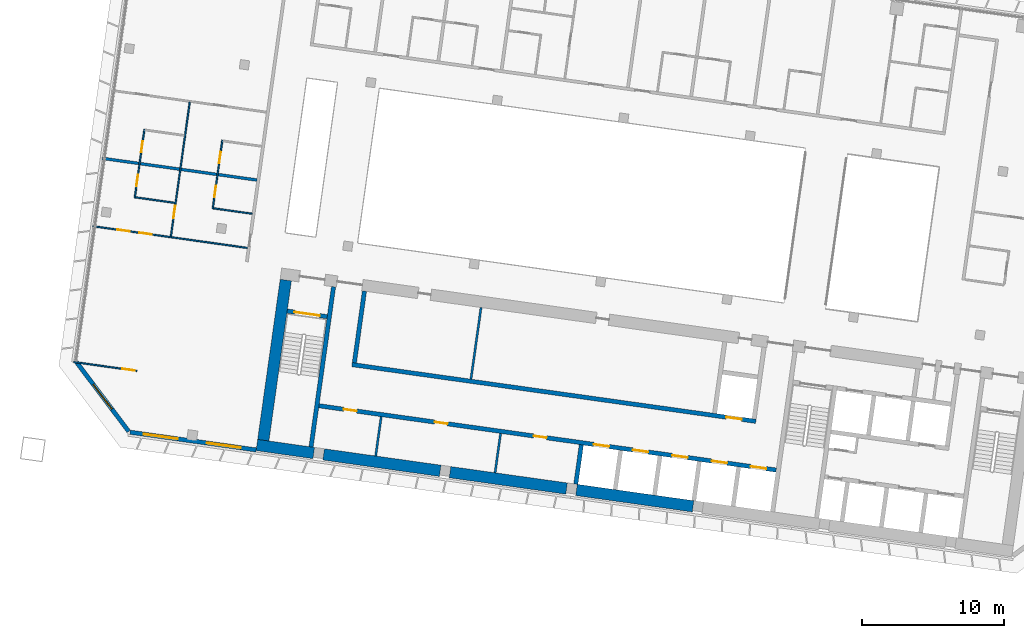
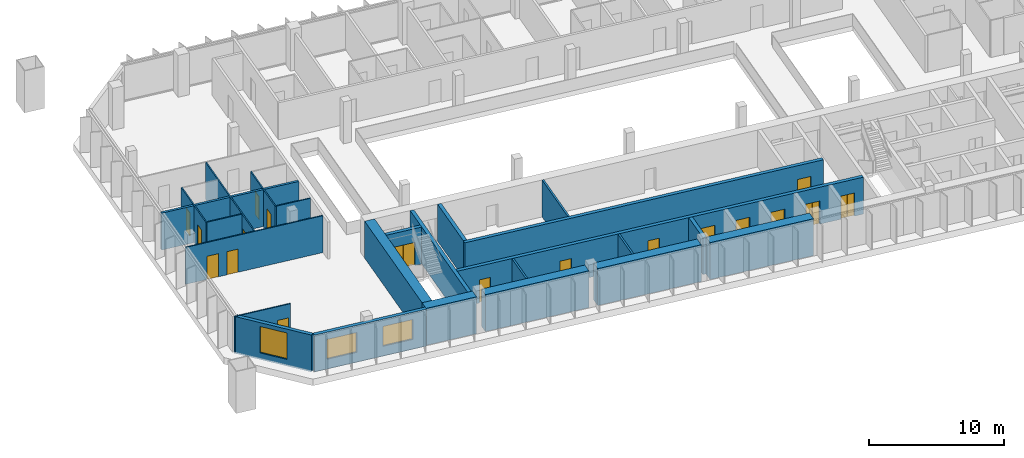
# One storey, part 14 of 26: 24 walls, 18 doors, 3 windows, 21 openings.
"""IFC4 building model written with IfcOpenShell, lengths in metres."""

from ifc_helpers import new_model, si_unit, direction, frame, frame_2d, origin, place, context, subcontext, project, spatial, rectangle, extrude, material, layer, layer_set, type_object, element, fill, save


model = new_model("IFC4")

# Units and contexts
model_context = context("Model", 3, precision=1e-05, world=origin(), true_north=direction((0.0, 1.0)))
body_context = subcontext(model_context, "Body", "Model", "MODEL_VIEW")
ifc_project = project(units=[si_unit("LENGTHUNIT", "METRE"), si_unit("AREAUNIT", "SQUARE_METRE"), si_unit("VOLUMEUNIT", "CUBIC_METRE"), si_unit("PLANEANGLEUNIT", "RADIAN"), si_unit("MASSUNIT", "GRAM", prefix="KILO")], contexts=[model_context])

# Site, building, storey
site_placement = place(None, origin())
site = spatial("IfcSite", under=ifc_project, at=site_placement, CompositionType="ELEMENT")
building_placement = place(site_placement, origin())
building = spatial("IfcBuilding", under=site, at=building_placement, Name="Mirante Cascada Hotel Towers", CompositionType="ELEMENT")
storey_placement = place(building_placement, frame((0.0, 0.0, 106.3)))
storey = spatial("IfcBuildingStorey", under=building, at=storey_placement, Name="L23", CompositionType="ELEMENT", Elevation=106.3)

# Walls
ifc_material_1 = material(Name="Fire-rated plasterboard on metal studs")
ifc_layer_1 = layer(ifc_material_1, 0.2)
ifc_layer_set_1 = layer_set([ifc_layer_1], Name="Compartment wall 200 EI 120")
wall_type_1 = type_object("IfcWallType", Name="Compartment wall 200 EI 120", PredefinedType="PARTITIONING", material=ifc_layer_set_1)
wall_1_placement = place(storey_placement, frame((-101.2993, 8.0205, 0.0), z_axis=(0.0, 0.0, 1.0), x_axis=(0.990268, -0.1391733, 0.0)))
element("IfcWall", 1, at=wall_1_placement, inside=storey, type_object=wall_type_1, Name="Wall 1-L23-11", PredefinedType="PARTITIONING", context=body_context, shape_type="SweptSolid", body=[
    extrude(rectangle(XDim=11.0, YDim=0.2, at=frame_2d((5.5, 0.0))), origin(), (0.0, 0.0, 1.0), 3.35),
])
ifc_material_2 = material(Name="Masonry block", Category="masonry")
ifc_layer_2 = layer(ifc_material_2, 0.15)
ifc_layer_set_2 = layer_set([ifc_layer_2], Name="Core room partition 150 block EI 30")
wall_type_2 = type_object("IfcWallType", Name="Core room partition 150 block EI 30", PredefinedType="PARTITIONING", material=ifc_layer_set_2)
wall_2_placement = place(storey_placement, frame((-73.6152, -14.1482, 0.0), z_axis=(0.0, 0.0, 1.0), x_axis=(0.139176, 0.9902677, 0.0)))
element("IfcWall", 2, at=wall_2_placement, inside=storey, type_object=wall_type_2, Name="Core wall partition T1 L23 5", PredefinedType="PARTITIONING", context=body_context, shape_type="SweptSolid", body=[
    extrude(rectangle(XDim=2.8001, YDim=0.15, at=frame_2d((1.4, 0.0))), origin(), (0.0, 0.0, 1.0), 3.35),
])
wall_3_placement = place(storey_placement, frame((-82.0324, -12.9652, 0.0), z_axis=(0.0, 0.0, 1.0), x_axis=(0.139141, 0.9902726, 0.0)))
element("IfcWall", 3, at=wall_3_placement, inside=storey, type_object=wall_type_2, Name="Core wall partition T1 L23 6", PredefinedType="PARTITIONING", context=body_context, shape_type="SweptSolid", body=[
    extrude(rectangle(XDim=2.8, YDim=0.15, at=frame_2d((1.4, 0.0))), origin(), (0.0, 0.0, 1.0), 3.35),
])
wall_4_placement = place(storey_placement, frame((-75.3131, -7.5476, 0.0), z_axis=(0.0, 0.0, 1.0), x_axis=(0.1391782, 0.9902673, 0.0)))
element("IfcWall", 4, at=wall_4_placement, inside=storey, type_object=wall_type_2, Name="Core wall partition T1 L23 7", PredefinedType="PARTITIONING", context=body_context, shape_type="SweptSolid", body=[
    extrude(rectangle(XDim=5.0999, YDim=0.15, at=frame_2d((2.55, 0.0))), origin(), (0.0, 0.0, 1.0), 3.35),
])

# Wall, opening, door
ifc_material_3 = material(Name="Plasterboard on metal studs")
ifc_layer_3 = layer(ifc_material_3, 0.1)
ifc_layer_set_3 = layer_set([ifc_layer_3], Name="Partition 100")
wall_type_3 = type_object("IfcWallType", Name="Partition 100", PredefinedType="PARTITIONING", material=ifc_layer_set_3)
wall_5_placement = place(storey_placement, frame((-103.3173, -6.3384, 0.0), z_axis=(0.0, 0.0, 1.0), x_axis=(0.9902674, -0.1391779, 0.0)))
wall_5 = element("IfcWall", 5, at=wall_5_placement, inside=storey, type_object=wall_type_3, Name="Wall 1-L23-01", PredefinedType="PARTITIONING", context=body_context, shape_type="SweptSolid", body=[
    extrude(rectangle(XDim=4.5, YDim=0.1, at=frame_2d((2.25, 0.0))), origin(), (0.0, 0.0, 1.0), 3.35),
])
opening_1_placement = place(wall_5_placement, frame((3.45, 0.0, 0.0)))
opening_1 = element("IfcOpeningElement", 6, at=opening_1_placement, cuts=wall_5, Name="Opening D1-L23-01", PredefinedType="OPENING", context=body_context, shape_type="SweptSolid", body=[
    extrude(rectangle(XDim=0.9, YDim=2.1, at=frame_2d((0.45, 1.05))), frame((0.0, 0.05, 0.0), z_axis=(0.0, -1.0, 0.0), x_axis=(1.0, 0.0, 0.0)), (0.0, 0.0, 1.0), 0.1),
])
ifc_material_4 = material(Name="Timber door leaf", Category="wood")
door_type_1 = type_object("IfcDoorType", Name="Room door DG3 900x2100", OperationType="SINGLE_SWING_LEFT", PredefinedType="DOOR", material=ifc_material_4)
door_1_placement = place(opening_1_placement, origin())
door_1 = element("IfcDoor", 7, at=door_1_placement, inside=storey, type_object=door_type_1, Name="Door D1-L23-01", OperationType="SINGLE_SWING_LEFT", OverallHeight=2.1, OverallWidth=0.9, PredefinedType="DOOR", context=body_context, shape_type="SweptSolid", body=[
    extrude(rectangle(XDim=0.9, YDim=2.1, at=frame_2d((0.45, 1.05))), frame((0.0, 0.025, 0.0), z_axis=(0.0, -1.0, 0.0), x_axis=(1.0, 0.0, 0.0)), (0.0, 0.0, 1.0), 0.05),
])
fill(opening_1, door_1)

# Wall, openings, doors
wall_6_placement = place(storey_placement, frame((-101.972, 3.2342, 0.0), z_axis=(0.0, 0.0, 1.0), x_axis=(0.9902682, -0.1391721, 0.0)))
wall_6 = element("IfcWall", 8, at=wall_6_placement, inside=storey, type_object=wall_type_3, Name="Wall 1-L23-05", PredefinedType="PARTITIONING", context=body_context, shape_type="SweptSolid", body=[
    extrude(rectangle(XDim=11.0001, YDim=0.1, at=frame_2d((5.5, 0.0))), origin(), (0.0, 0.0, 1.0), 3.35),
])
opening_2_placement = place(wall_6_placement, frame((3.3, 0.0, 0.0)))
opening_2 = element("IfcOpeningElement", 9, at=opening_2_placement, cuts=wall_6, Name="Opening D1-L23-03", PredefinedType="OPENING", context=body_context, shape_type="SweptSolid", body=[
    extrude(rectangle(XDim=0.9, YDim=2.1, at=frame_2d((0.45, 1.05))), frame((0.0, 0.05, 0.0), z_axis=(0.0, -1.0, 0.0), x_axis=(1.0, 0.0, 0.0)), (0.0, 0.0, 1.0), 0.1),
])
opening_3_placement = place(wall_6_placement, frame((1.725, 0.0, 0.0)))
opening_3 = element("IfcOpeningElement", 10, at=opening_3_placement, cuts=wall_6, Name="Opening D1-L23-04", PredefinedType="OPENING", context=body_context, shape_type="SweptSolid", body=[
    extrude(rectangle(XDim=0.9, YDim=2.1, at=frame_2d((0.45, 1.05))), frame((0.0, 0.05, 0.0), z_axis=(0.0, -1.0, 0.0), x_axis=(1.0, 0.0, 0.0)), (0.0, 0.0, 1.0), 0.1),
])
door_2_placement = place(opening_2_placement, frame((0.9, 0.0, 0.0), z_axis=(0.0, 0.0, 1.0), x_axis=(-1.0, 0.0, 0.0)))
door_2 = element("IfcDoor", 11, at=door_2_placement, inside=storey, type_object=door_type_1, Name="Door D1-L23-03", OperationType="SINGLE_SWING_RIGHT", OverallHeight=2.1, OverallWidth=0.9, PredefinedType="DOOR", context=body_context, shape_type="SweptSolid", body=[
    extrude(rectangle(XDim=0.9, YDim=2.1, at=frame_2d((0.45, 1.05))), frame((0.0, 0.025, 0.0), z_axis=(0.0, -1.0, 0.0), x_axis=(1.0, 0.0, 0.0)), (0.0, 0.0, 1.0), 0.05),
])
fill(opening_2, door_2)
door_3_placement = place(opening_3_placement, frame((0.9, 0.0, 0.0), z_axis=(0.0, 0.0, 1.0), x_axis=(-1.0, 0.0, 0.0)))
door_3 = element("IfcDoor", 12, at=door_3_placement, inside=storey, type_object=door_type_1, Name="Door D1-L23-04", OperationType="SINGLE_SWING_RIGHT", OverallHeight=2.1, OverallWidth=0.9, PredefinedType="DOOR", context=body_context, shape_type="SweptSolid", body=[
    extrude(rectangle(XDim=0.9, YDim=2.1, at=frame_2d((0.45, 1.05))), frame((0.0, 0.025, 0.0), z_axis=(0.0, -1.0, 0.0), x_axis=(1.0, 0.0, 0.0)), (0.0, 0.0, 1.0), 0.05),
])
fill(opening_3, door_3)

# Walls
wall_7_placement = place(storey_placement, frame((-90.7404, 4.1129, 0.0), z_axis=(0.0, 0.0, 1.0), x_axis=(-0.9902691, 0.1391657, 0.0)))
element("IfcWall", 13, at=wall_7_placement, inside=storey, type_object=wall_type_3, Name="Wall 1-L23-06", PredefinedType="PARTITIONING", context=body_context, shape_type="SweptSolid", body=[
    extrude(rectangle(XDim=2.75, YDim=0.1, at=frame_2d((1.375, 0.0))), origin(), (0.0, 0.0, 1.0), 3.35),
])
wall_8_placement = place(storey_placement, frame((-98.9596, 5.2681, 0.0), z_axis=(0.0, 0.0, 1.0), x_axis=(0.9902677, -0.139176, 0.0)))
element("IfcWall", 14, at=wall_8_placement, inside=storey, type_object=wall_type_3, Name="Wall 1-L23-07", PredefinedType="PARTITIONING", context=body_context, shape_type="SweptSolid", body=[
    extrude(rectangle(XDim=2.8001, YDim=0.1, at=frame_2d((1.4, 0.0))), origin(), (0.0, 0.0, 1.0), 3.35),
])

# Wall, openings, doors
wall_9_placement = place(storey_placement, frame((-92.8381, 9.3054, 0.0), z_axis=(0.0, 0.0, 1.0), x_axis=(-0.1391838, -0.9902666, 0.0)))
wall_9 = element("IfcWall", 15, at=wall_9_placement, inside=storey, type_object=wall_type_3, Name="Wall 1-L23-61", PredefinedType="PARTITIONING", context=body_context, shape_type="SweptSolid", body=[
    extrude(rectangle(XDim=4.9, YDim=0.1, at=frame_2d((2.45, 0.0))), origin(), (0.0, 0.0, 1.0), 3.35),
])
opening_4_placement = place(wall_9_placement, frame((3.25, 0.0, 0.0)))
opening_4 = element("IfcOpeningElement", 16, at=opening_4_placement, cuts=wall_9, Name="Opening D1-L23-39", PredefinedType="OPENING", context=body_context, shape_type="SweptSolid", body=[
    extrude(rectangle(XDim=0.8, YDim=2.1, at=frame_2d((0.4, 1.05))), frame((0.0, 0.05, 0.0), z_axis=(0.0, -1.0, 0.0), x_axis=(1.0, 0.0, 0.0)), (0.0, 0.0, 1.0), 0.1),
])
opening_5_placement = place(wall_9_placement, frame((0.85, 0.0, 0.0)))
opening_5 = element("IfcOpeningElement", 17, at=opening_5_placement, cuts=wall_9, Name="Opening D1-L23-40", PredefinedType="OPENING", context=body_context, shape_type="SweptSolid", body=[
    extrude(rectangle(XDim=0.8, YDim=2.1, at=frame_2d((0.4, 1.05))), frame((0.0, 0.05, 0.0), z_axis=(0.0, -1.0, 0.0), x_axis=(1.0, 0.0, 0.0)), (0.0, 0.0, 1.0), 0.1),
])
ifc_material_5 = material(Name="Timber door leaf", Category="wood")
door_type_2 = type_object("IfcDoorType", Name="Bathroom door DG4 800x2100", OperationType="SINGLE_SWING_LEFT", PredefinedType="DOOR", material=ifc_material_5)
door_4_placement = place(opening_4_placement, origin())
door_4 = element("IfcDoor", 18, at=door_4_placement, inside=storey, type_object=door_type_2, Name="Door D1-L23-39", OperationType="SINGLE_SWING_LEFT", OverallHeight=2.1, OverallWidth=0.8, PredefinedType="DOOR", context=body_context, shape_type="SweptSolid", body=[
    extrude(rectangle(XDim=0.8, YDim=2.1, at=frame_2d((0.4, 1.05))), frame((0.0, 0.025, 0.0), z_axis=(0.0, -1.0, 0.0), x_axis=(1.0, 0.0, 0.0)), (0.0, 0.0, 1.0), 0.05),
])
fill(opening_4, door_4)
door_5_placement = place(opening_5_placement, origin())
door_5 = element("IfcDoor", 19, at=door_5_placement, inside=storey, type_object=door_type_2, Name="Door D1-L23-40", OperationType="SINGLE_SWING_LEFT", OverallHeight=2.1, OverallWidth=0.8, PredefinedType="DOOR", context=body_context, shape_type="SweptSolid", body=[
    extrude(rectangle(XDim=0.8, YDim=2.1, at=frame_2d((0.4, 1.05))), frame((0.0, 0.025, 0.0), z_axis=(0.0, -1.0, 0.0), x_axis=(1.0, 0.0, 0.0)), (0.0, 0.0, 1.0), 0.05),
])
fill(opening_5, door_5)

# Wall, opening, door
wall_10_placement = place(storey_placement, frame((-96.469, 2.5113, 0.0), z_axis=(0.0, 0.0, 1.0), x_axis=(0.1391717, 0.9902683, 0.0)))
wall_10 = element("IfcWall", 20, at=wall_10_placement, inside=storey, type_object=wall_type_3, Name="Wall 1-L23-62", PredefinedType="PARTITIONING", context=body_context, shape_type="SweptSolid", body=[
    extrude(rectangle(XDim=9.5666, YDim=0.1, at=frame_2d((4.7833, 0.0))), origin(), (0.0, 0.0, 1.0), 3.35),
])
opening_6_placement = place(wall_10_placement, frame((1.3, 0.0, 0.0)))
opening_6 = element("IfcOpeningElement", 21, at=opening_6_placement, cuts=wall_10, Name="Opening D1-L23-41", PredefinedType="OPENING", context=body_context, shape_type="SweptSolid", body=[
    extrude(rectangle(XDim=0.9, YDim=2.1, at=frame_2d((0.45, 1.05))), frame((0.0, 0.05, 0.0), z_axis=(0.0, -1.0, 0.0), x_axis=(1.0, 0.0, 0.0)), (0.0, 0.0, 1.0), 0.1),
])
door_6_placement = place(opening_6_placement, frame((0.9, 0.0, 0.0), z_axis=(0.0, 0.0, 1.0), x_axis=(-1.0, 0.0, 0.0)))
door_6 = element("IfcDoor", 22, at=door_6_placement, inside=storey, type_object=door_type_1, Name="Door D1-L23-41", OperationType="SINGLE_SWING_RIGHT", OverallHeight=2.1, OverallWidth=0.9, PredefinedType="DOOR", context=body_context, shape_type="SweptSolid", body=[
    extrude(rectangle(XDim=0.9, YDim=2.1, at=frame_2d((0.45, 1.05))), frame((0.0, 0.025, 0.0), z_axis=(0.0, -1.0, 0.0), x_axis=(1.0, 0.0, 0.0)), (0.0, 0.0, 1.0), 0.05),
])
fill(opening_6, door_6)

# Wall, openings, doors
wall_11_placement = place(storey_placement, frame((-98.3341, 10.0778, 0.0), z_axis=(0.0, 0.0, 1.0), x_axis=(-0.1391838, -0.9902666, 0.0)))
wall_11 = element("IfcWall", 23, at=wall_11_placement, inside=storey, type_object=wall_type_3, Name="Wall 1-L23-63", PredefinedType="PARTITIONING", context=body_context, shape_type="SweptSolid", body=[
    extrude(rectangle(XDim=4.9, YDim=0.1, at=frame_2d((2.45, 0.0))), origin(), (0.0, 0.0, 1.0), 3.35),
])
opening_7_placement = place(wall_11_placement, frame((3.25, 0.0, 0.0)))
opening_7 = element("IfcOpeningElement", 24, at=opening_7_placement, cuts=wall_11, Name="Opening D1-L23-42", PredefinedType="OPENING", context=body_context, shape_type="SweptSolid", body=[
    extrude(rectangle(XDim=0.8, YDim=2.1, at=frame_2d((0.4, 1.05))), frame((0.0, 0.05, 0.0), z_axis=(0.0, -1.0, 0.0), x_axis=(1.0, 0.0, 0.0)), (0.0, 0.0, 1.0), 0.1),
])
opening_8_placement = place(wall_11_placement, frame((0.85, 0.0, 0.0)))
opening_8 = element("IfcOpeningElement", 25, at=opening_8_placement, cuts=wall_11, Name="Opening D1-L23-43", PredefinedType="OPENING", context=body_context, shape_type="SweptSolid", body=[
    extrude(rectangle(XDim=0.8, YDim=2.1, at=frame_2d((0.4, 1.05))), frame((0.0, 0.05, 0.0), z_axis=(0.0, -1.0, 0.0), x_axis=(1.0, 0.0, 0.0)), (0.0, 0.0, 1.0), 0.1),
])
door_7_placement = place(opening_7_placement, origin())
door_7 = element("IfcDoor", 26, at=door_7_placement, inside=storey, type_object=door_type_2, Name="Door D1-L23-42", OperationType="SINGLE_SWING_LEFT", OverallHeight=2.1, OverallWidth=0.8, PredefinedType="DOOR", context=body_context, shape_type="SweptSolid", body=[
    extrude(rectangle(XDim=0.8, YDim=2.1, at=frame_2d((0.4, 1.05))), frame((0.0, 0.025, 0.0), z_axis=(0.0, -1.0, 0.0), x_axis=(1.0, 0.0, 0.0)), (0.0, 0.0, 1.0), 0.05),
])
fill(opening_7, door_7)
door_8_placement = place(opening_8_placement, origin())
door_8 = element("IfcDoor", 27, at=door_8_placement, inside=storey, type_object=door_type_2, Name="Door D1-L23-43", OperationType="SINGLE_SWING_LEFT", OverallHeight=2.1, OverallWidth=0.8, PredefinedType="DOOR", context=body_context, shape_type="SweptSolid", body=[
    extrude(rectangle(XDim=0.8, YDim=2.1, at=frame_2d((0.4, 1.05))), frame((0.0, 0.025, 0.0), z_axis=(0.0, -1.0, 0.0), x_axis=(1.0, 0.0, 0.0)), (0.0, 0.0, 1.0), 0.05),
])
fill(opening_8, door_8)

# Wall, openings, windows
ifc_material_6 = material(Name="Precast concrete C40/50", Category="concrete")
ifc_layer_4 = layer(ifc_material_6, 0.3)
ifc_layer_set_4 = layer_set([ifc_layer_4], Name="Precast concrete C40/50 cladding wall 300")
wall_type_4 = type_object("IfcWallType", Name="Precast concrete C40/50 cladding wall 300", PredefinedType="STANDARD", material=ifc_layer_set_4)
wall_12_placement = place(storey_placement, frame((-90.4551, -12.5388, 0.0), z_axis=(0.0, 0.0, 1.0), x_axis=(-0.990268, 0.1391734, 0.0)))
wall_12 = element("IfcWall", 28, at=wall_12_placement, inside=storey, type_object=wall_type_4, Name="Rear cladding wall T1 L23 1", PredefinedType="STANDARD", context=body_context, shape_type="SweptSolid", body=[
    extrude(rectangle(XDim=8.9759, YDim=0.3, at=frame_2d((4.488, 0.0))), origin(), (0.0, 0.0, 1.0), 3.35),
])
opening_9_placement = place(wall_12_placement, frame((1.1012, 0.0, 0.9)))
opening_9 = element("IfcOpeningElement", 29, at=opening_9_placement, cuts=wall_12, Name="Opening W1-23-01", PredefinedType="OPENING", context=body_context, shape_type="SweptSolid", body=[
    extrude(rectangle(XDim=2.4, YDim=1.8, at=frame_2d((1.2, 0.9))), frame((0.0, 0.15, 0.0), z_axis=(0.0, -1.0, 0.0), x_axis=(1.0, 0.0, 0.0)), (0.0, 0.0, 1.0), 0.3),
])
opening_10_placement = place(wall_12_placement, frame((5.5923, 0.0, 0.9)))
opening_10 = element("IfcOpeningElement", 30, at=opening_10_placement, cuts=wall_12, Name="Opening W1-23-02", PredefinedType="OPENING", context=body_context, shape_type="SweptSolid", body=[
    extrude(rectangle(XDim=2.4, YDim=1.8, at=frame_2d((1.2, 0.9))), frame((0.0, 0.15, 0.0), z_axis=(0.0, -1.0, 0.0), x_axis=(1.0, 0.0, 0.0)), (0.0, 0.0, 1.0), 0.3),
])
ifc_material_7 = material(Name="Aluminium frame with clear double glazing", Category="aluminium")
window_type_1 = type_object("IfcWindowType", Name="Punched window 2400x1800", PartitioningType="DOUBLE_PANEL_VERTICAL", PredefinedType="WINDOW", material=ifc_material_7)
window_1_placement = place(opening_9_placement, origin())
window_1 = element("IfcWindow", 31, at=window_1_placement, inside=storey, type_object=window_type_1, Name="Window W1-23-01", OverallHeight=1.8, OverallWidth=2.4, PartitioningType="SINGLE_PANEL", PredefinedType="WINDOW", context=body_context, shape_type="SweptSolid", body=[
    extrude(rectangle(XDim=2.4, YDim=1.8, at=frame_2d((1.2, 0.9))), frame((0.0, 0.03, 0.0), z_axis=(0.0, -1.0, 0.0), x_axis=(1.0, 0.0, 0.0)), (0.0, 0.0, 1.0), 0.06),
])
fill(opening_9, window_1)
window_2_placement = place(opening_10_placement, origin())
window_2 = element("IfcWindow", 32, at=window_2_placement, inside=storey, type_object=window_type_1, Name="Window W1-23-02", OverallHeight=1.8, OverallWidth=2.4, PartitioningType="SINGLE_PANEL", PredefinedType="WINDOW", context=body_context, shape_type="SweptSolid", body=[
    extrude(rectangle(XDim=2.4, YDim=1.8, at=frame_2d((1.2, 0.9))), frame((0.0, 0.03, 0.0), z_axis=(0.0, -1.0, 0.0), x_axis=(1.0, 0.0, 0.0)), (0.0, 0.0, 1.0), 0.06),
])
fill(opening_10, window_2)

# Wall, opening, window
wall_13_placement = place(storey_placement, frame((-99.4423, -11.2315, 0.0), z_axis=(0.0, 0.0, 1.0), x_axis=(-0.6018141, 0.7986362, 0.0)))
wall_13 = element("IfcWall", 33, at=wall_13_placement, inside=storey, type_object=wall_type_4, Name="Corner cladding wall T1 L23 rear outer", PredefinedType="STANDARD", context=body_context, shape_type="SweptSolid", body=[
    extrude(rectangle(XDim=6.1157, YDim=0.3, at=frame_2d((3.0578, 0.0))), origin(), (0.0, 0.0, 1.0), 3.35),
])
opening_11_placement = place(wall_13_placement, frame((1.9578, 0.0, 0.6)))
opening_11 = element("IfcOpeningElement", 34, at=opening_11_placement, cuts=wall_13, Name="Opening W1-23-03", PredefinedType="OPENING", context=body_context, shape_type="SweptSolid", body=[
    extrude(rectangle(XDim=2.2, YDim=2.4, at=frame_2d((1.1, 1.2))), frame((0.0, 0.15, 0.0), z_axis=(0.0, -1.0, 0.0), x_axis=(1.0, 0.0, 0.0)), (0.0, 0.0, 1.0), 0.3),
])
ifc_material_8 = material(Name="Aluminium frame with clear double glazing", Category="aluminium")
window_type_2 = type_object("IfcWindowType", Name="Corner suite window 2200x2400", PartitioningType="DOUBLE_PANEL_VERTICAL", PredefinedType="WINDOW", material=ifc_material_8)
window_3_placement = place(opening_11_placement, origin())
window_3 = element("IfcWindow", 35, at=window_3_placement, inside=storey, type_object=window_type_2, Name="Window W1-23-03", OverallHeight=2.4, OverallWidth=2.2, PartitioningType="SINGLE_PANEL", PredefinedType="WINDOW", context=body_context, shape_type="SweptSolid", body=[
    extrude(rectangle(XDim=2.2, YDim=2.4, at=frame_2d((1.1, 1.2))), frame((0.0, 0.03, 0.0), z_axis=(0.0, -1.0, 0.0), x_axis=(1.0, 0.0, 0.0)), (0.0, 0.0, 1.0), 0.06),
])
fill(opening_11, window_3)

# Wall
ifc_material_9 = material(Name="Concrete C50/60", Category="concrete")
ifc_layer_5 = layer(ifc_material_9, 0.3)
ifc_layer_set_5 = layer_set([ifc_layer_5], Name="RC core wall 300 C50/60")
wall_type_5 = type_object("IfcWallType", Name="RC core wall 300 C50/60", PredefinedType="SHEAR", material=ifc_layer_set_5)
wall_14_placement = place(storey_placement, frame((-86.5877, -12.325, 0.0), z_axis=(0.0, 0.0, 1.0), x_axis=(0.1391749, 0.9902678, 0.0)))
element("IfcWall", 36, at=wall_14_placement, inside=storey, type_object=wall_type_5, Name="Core wall T1:L23:8", PredefinedType="SHEAR", context=body_context, shape_type="SweptSolid", body=[
    extrude(rectangle(XDim=11.4, YDim=0.3, at=frame_2d((5.7, 0.0))), origin(), (0.0, 0.0, 1.0), 3.35),
])

# Wall, opening, door
wall_15_placement = place(storey_placement, frame((-85.4489, -3.1441, 0.0), z_axis=(0.0, 0.0, 1.0), x_axis=(-0.9902697, 0.1391613, 0.0)))
wall_15 = element("IfcWall", 37, at=wall_15_placement, inside=storey, type_object=wall_type_5, Name="Core wall T1:L23:11", PredefinedType="SHEAR", context=body_context, shape_type="SweptSolid", body=[
    extrude(rectangle(XDim=2.8499, YDim=0.3, at=frame_2d((1.425, 0.0))), origin(), (0.0, 0.0, 1.0), 3.35),
])
opening_12_placement = place(wall_15_placement, frame((0.525, 0.0, 0.0)))
opening_12 = element("IfcOpeningElement", 38, at=opening_12_placement, cuts=wall_15, Name="Opening D1-23-C17", PredefinedType="OPENING", context=body_context, shape_type="SweptSolid", body=[
    extrude(rectangle(XDim=1.8, YDim=2.1, at=frame_2d((0.9, 1.05))), frame((0.0, 0.15, 0.0), z_axis=(0.0, -1.0, 0.0), x_axis=(1.0, 0.0, 0.0)), (0.0, 0.0, 1.0), 0.3),
])
ifc_material_10 = material(Name="Hollow metal fire door leaf")
door_type_3 = type_object("IfcDoorType", Name="Double fire door 1800x2100 FD60", OperationType="DOUBLE_DOOR_SINGLE_SWING", PredefinedType="DOOR", material=ifc_material_10)
door_9_placement = place(opening_12_placement, origin())
door_9 = element("IfcDoor", 39, at=door_9_placement, inside=storey, type_object=door_type_3, Name="Stair door T1 L23 17", OperationType="DOUBLE_DOOR_SINGLE_SWING", OverallHeight=2.1, OverallWidth=1.8, PredefinedType="DOOR", context=body_context, shape_type="SweptSolid", body=[
    extrude(rectangle(XDim=0.895, YDim=2.1, at=frame_2d((0.4475, 1.05))), frame((0.0, 0.025, 0.0), z_axis=(0.0, -1.0, 0.0), x_axis=(1.0, 0.0, 0.0)), (0.0, 0.0, 1.0), 0.05),
    extrude(rectangle(XDim=0.895, YDim=2.1, at=frame_2d((1.3525, 1.05))), frame((0.0, 0.025, 0.0), z_axis=(0.0, -1.0, 0.0), x_axis=(1.0, 0.0, 0.0)), (0.0, 0.0, 1.0), 0.05),
])
fill(opening_12, door_9)

# Wall, openings, doors
wall_16_placement = place(storey_placement, frame((-53.7953, -13.9547, 0.0), z_axis=(0.0, 0.0, 1.0), x_axis=(-0.990268, 0.1391733, 0.0)))
wall_16 = element("IfcWall", 40, at=wall_16_placement, inside=storey, type_object=wall_type_5, Name="Core wall T1:L23:25", PredefinedType="SHEAR", context=body_context, shape_type="SweptSolid", body=[
    extrude(rectangle(XDim=32.5501, YDim=0.3, at=frame_2d((16.275, 0.0))), origin(), (0.0, 0.0, 1.0), 3.35),
])
opening_13_placement = place(wall_16_placement, frame((0.7, 0.0, 0.0)))
opening_13 = element("IfcOpeningElement", 41, at=opening_13_placement, cuts=wall_16, Name="Opening LD", PredefinedType="OPENING", context=body_context, shape_type="SweptSolid", body=[
    extrude(rectangle(XDim=1.1, YDim=2.1, at=frame_2d((0.55, 1.05))), frame((0.0, 0.15, 0.0), z_axis=(0.0, -1.0, 0.0), x_axis=(1.0, 0.0, 0.0)), (0.0, 0.0, 1.0), 0.3),
])
opening_14_placement = place(wall_16_placement, frame((3.5, 0.0, 0.0)))
opening_14 = element("IfcOpeningElement", 42, at=opening_14_placement, cuts=wall_16, Name="Opening LD", PredefinedType="OPENING", context=body_context, shape_type="SweptSolid", body=[
    extrude(rectangle(XDim=1.1, YDim=2.1, at=frame_2d((0.55, 1.05))), frame((0.0, 0.15, 0.0), z_axis=(0.0, -1.0, 0.0), x_axis=(1.0, 0.0, 0.0)), (0.0, 0.0, 1.0), 0.3),
])
opening_15_placement = place(wall_16_placement, frame((6.3, 0.0, 0.0)))
opening_15 = element("IfcOpeningElement", 43, at=opening_15_placement, cuts=wall_16, Name="Opening LD", PredefinedType="OPENING", context=body_context, shape_type="SweptSolid", body=[
    extrude(rectangle(XDim=1.1, YDim=2.1, at=frame_2d((0.55, 1.05))), frame((0.0, 0.15, 0.0), z_axis=(0.0, -1.0, 0.0), x_axis=(1.0, 0.0, 0.0)), (0.0, 0.0, 1.0), 0.3),
])
opening_16_placement = place(wall_16_placement, frame((9.1, 0.0, 0.0)))
opening_16 = element("IfcOpeningElement", 44, at=opening_16_placement, cuts=wall_16, Name="Opening LD", PredefinedType="OPENING", context=body_context, shape_type="SweptSolid", body=[
    extrude(rectangle(XDim=1.1, YDim=2.1, at=frame_2d((0.55, 1.05))), frame((0.0, 0.15, 0.0), z_axis=(0.0, -1.0, 0.0), x_axis=(1.0, 0.0, 0.0)), (0.0, 0.0, 1.0), 0.3),
])
opening_17_placement = place(wall_16_placement, frame((11.9, 0.0, 0.0)))
opening_17 = element("IfcOpeningElement", 45, at=opening_17_placement, cuts=wall_16, Name="Opening LD", PredefinedType="OPENING", context=body_context, shape_type="SweptSolid", body=[
    extrude(rectangle(XDim=1.1, YDim=2.1, at=frame_2d((0.55, 1.05))), frame((0.0, 0.15, 0.0), z_axis=(0.0, -1.0, 0.0), x_axis=(1.0, 0.0, 0.0)), (0.0, 0.0, 1.0), 0.3),
])
opening_18_placement = place(wall_16_placement, frame((16.35, 0.0, 0.0)))
opening_18 = element("IfcOpeningElement", 46, at=opening_18_placement, cuts=wall_16, Name="Opening D1-23-C26", PredefinedType="OPENING", context=body_context, shape_type="SweptSolid", body=[
    extrude(rectangle(XDim=0.9, YDim=2.1, at=frame_2d((0.45, 1.05))), frame((0.0, 0.15, 0.0), z_axis=(0.0, -1.0, 0.0), x_axis=(1.0, 0.0, 0.0)), (0.0, 0.0, 1.0), 0.3),
])
opening_19_placement = place(wall_16_placement, frame((23.4, 0.0, 0.0)))
opening_19 = element("IfcOpeningElement", 47, at=opening_19_placement, cuts=wall_16, Name="Opening D1-23-C27", PredefinedType="OPENING", context=body_context, shape_type="SweptSolid", body=[
    extrude(rectangle(XDim=0.9, YDim=2.1, at=frame_2d((0.45, 1.05))), frame((0.0, 0.15, 0.0), z_axis=(0.0, -1.0, 0.0), x_axis=(1.0, 0.0, 0.0)), (0.0, 0.0, 1.0), 0.3),
])
opening_20_placement = place(wall_16_placement, frame((29.875, 0.0, 0.0)))
opening_20 = element("IfcOpeningElement", 48, at=opening_20_placement, cuts=wall_16, Name="Opening D1-23-C28", PredefinedType="OPENING", context=body_context, shape_type="SweptSolid", body=[
    extrude(rectangle(XDim=0.9, YDim=2.1, at=frame_2d((0.45, 1.05))), frame((0.0, 0.15, 0.0), z_axis=(0.0, -1.0, 0.0), x_axis=(1.0, 0.0, 0.0)), (0.0, 0.0, 1.0), 0.3),
])
ifc_material_11 = material(Name="Hollow metal fire door leaf")
door_type_4 = type_object("IfcDoorType", Name="Fire door 900x2100 FD60", OperationType="NOTDEFINED", PredefinedType="DOOR", material=ifc_material_11)
door_10_placement = place(opening_18_placement, origin())
door_10 = element("IfcDoor", 49, at=door_10_placement, inside=storey, type_object=door_type_4, Name="Room door T1 L23 26", OperationType="SINGLE_SWING_RIGHT", OverallHeight=2.1, OverallWidth=0.9, PredefinedType="DOOR", context=body_context, shape_type="SweptSolid", body=[
    extrude(rectangle(XDim=0.9, YDim=2.1, at=frame_2d((0.45, 1.05))), frame((0.0, 0.025, 0.0), z_axis=(0.0, -1.0, 0.0), x_axis=(1.0, 0.0, 0.0)), (0.0, 0.0, 1.0), 0.05),
])
fill(opening_18, door_10)
door_11_placement = place(opening_19_placement, origin())
door_11 = element("IfcDoor", 50, at=door_11_placement, inside=storey, type_object=door_type_4, Name="Room door T1 L23 27", OperationType="SINGLE_SWING_LEFT", OverallHeight=2.1, OverallWidth=0.9, PredefinedType="DOOR", context=body_context, shape_type="SweptSolid", body=[
    extrude(rectangle(XDim=0.9, YDim=2.1, at=frame_2d((0.45, 1.05))), frame((0.0, 0.025, 0.0), z_axis=(0.0, -1.0, 0.0), x_axis=(1.0, 0.0, 0.0)), (0.0, 0.0, 1.0), 0.05),
])
fill(opening_19, door_11)
door_12_placement = place(opening_20_placement, origin())
door_12 = element("IfcDoor", 51, at=door_12_placement, inside=storey, type_object=door_type_4, Name="Room door T1 L23 28", OperationType="SINGLE_SWING_LEFT", OverallHeight=2.1, OverallWidth=0.9, PredefinedType="DOOR", context=body_context, shape_type="SweptSolid", body=[
    extrude(rectangle(XDim=0.9, YDim=2.1, at=frame_2d((0.45, 1.05))), frame((0.0, 0.025, 0.0), z_axis=(0.0, -1.0, 0.0), x_axis=(1.0, 0.0, 0.0)), (0.0, 0.0, 1.0), 0.05),
])
fill(opening_20, door_12)
ifc_material_12 = material(Name="Stainless steel", Category="steel")
door_type_5 = type_object("IfcDoorType", Name="Lift landing door 1100x2100 EI 120", OperationType="DOUBLE_DOOR_SLIDING", PredefinedType="DOOR", material=ifc_material_12)
door_13_placement = place(opening_13_placement, origin())
door_13 = element("IfcDoor", 52, at=door_13_placement, inside=storey, type_object=door_type_5, Name="Lift landing door LR1-1 L23", OperationType="DOUBLE_DOOR_SLIDING", OverallHeight=2.1, OverallWidth=1.1, PredefinedType="DOOR", context=body_context, shape_type="SweptSolid", body=[
    extrude(rectangle(XDim=0.545, YDim=2.1, at=frame_2d((0.2725, 1.05))), frame((0.0, 0.025, 0.0), z_axis=(0.0, -1.0, 0.0), x_axis=(1.0, 0.0, 0.0)), (0.0, 0.0, 1.0), 0.05),
    extrude(rectangle(XDim=0.545, YDim=2.1, at=frame_2d((0.8275, 1.05))), frame((0.0, 0.025, 0.0), z_axis=(0.0, -1.0, 0.0), x_axis=(1.0, 0.0, 0.0)), (0.0, 0.0, 1.0), 0.05),
])
fill(opening_13, door_13)
door_14_placement = place(opening_14_placement, origin())
door_14 = element("IfcDoor", 53, at=door_14_placement, inside=storey, type_object=door_type_5, Name="Lift landing door LR1-2 L23", OperationType="DOUBLE_DOOR_SLIDING", OverallHeight=2.1, OverallWidth=1.1, PredefinedType="DOOR", context=body_context, shape_type="SweptSolid", body=[
    extrude(rectangle(XDim=0.545, YDim=2.1, at=frame_2d((0.2725, 1.05))), frame((0.0, 0.025, 0.0), z_axis=(0.0, -1.0, 0.0), x_axis=(1.0, 0.0, 0.0)), (0.0, 0.0, 1.0), 0.05),
    extrude(rectangle(XDim=0.545, YDim=2.1, at=frame_2d((0.8275, 1.05))), frame((0.0, 0.025, 0.0), z_axis=(0.0, -1.0, 0.0), x_axis=(1.0, 0.0, 0.0)), (0.0, 0.0, 1.0), 0.05),
])
fill(opening_14, door_14)
door_15_placement = place(opening_15_placement, origin())
door_15 = element("IfcDoor", 54, at=door_15_placement, inside=storey, type_object=door_type_5, Name="Lift landing door SV1-1 L23", OperationType="DOUBLE_DOOR_SLIDING", OverallHeight=2.1, OverallWidth=1.1, PredefinedType="DOOR", context=body_context, shape_type="SweptSolid", body=[
    extrude(rectangle(XDim=0.545, YDim=2.1, at=frame_2d((0.2725, 1.05))), frame((0.0, 0.025, 0.0), z_axis=(0.0, -1.0, 0.0), x_axis=(1.0, 0.0, 0.0)), (0.0, 0.0, 1.0), 0.05),
    extrude(rectangle(XDim=0.545, YDim=2.1, at=frame_2d((0.8275, 1.05))), frame((0.0, 0.025, 0.0), z_axis=(0.0, -1.0, 0.0), x_axis=(1.0, 0.0, 0.0)), (0.0, 0.0, 1.0), 0.05),
])
fill(opening_15, door_15)
door_16_placement = place(opening_16_placement, origin())
door_16 = element("IfcDoor", 55, at=door_16_placement, inside=storey, type_object=door_type_5, Name="Lift landing door SV1-2 L23", OperationType="DOUBLE_DOOR_SLIDING", OverallHeight=2.1, OverallWidth=1.1, PredefinedType="DOOR", context=body_context, shape_type="SweptSolid", body=[
    extrude(rectangle(XDim=0.545, YDim=2.1, at=frame_2d((0.2725, 1.05))), frame((0.0, 0.025, 0.0), z_axis=(0.0, -1.0, 0.0), x_axis=(1.0, 0.0, 0.0)), (0.0, 0.0, 1.0), 0.05),
    extrude(rectangle(XDim=0.545, YDim=2.1, at=frame_2d((0.8275, 1.05))), frame((0.0, 0.025, 0.0), z_axis=(0.0, -1.0, 0.0), x_axis=(1.0, 0.0, 0.0)), (0.0, 0.0, 1.0), 0.05),
])
fill(opening_16, door_16)
door_17_placement = place(opening_17_placement, origin())
door_17 = element("IfcDoor", 56, at=door_17_placement, inside=storey, type_object=door_type_5, Name="Lift landing door SV1-3 L23", OperationType="DOUBLE_DOOR_SLIDING", OverallHeight=2.1, OverallWidth=1.1, PredefinedType="DOOR", context=body_context, shape_type="SweptSolid", body=[
    extrude(rectangle(XDim=0.545, YDim=2.1, at=frame_2d((0.2725, 1.05))), frame((0.0, 0.025, 0.0), z_axis=(0.0, -1.0, 0.0), x_axis=(1.0, 0.0, 0.0)), (0.0, 0.0, 1.0), 0.05),
    extrude(rectangle(XDim=0.545, YDim=2.1, at=frame_2d((0.8275, 1.05))), frame((0.0, 0.025, 0.0), z_axis=(0.0, -1.0, 0.0), x_axis=(1.0, 0.0, 0.0)), (0.0, 0.0, 1.0), 0.05),
])
fill(opening_17, door_17)

# Wall
wall_17_placement = place(storey_placement, frame((-67.9211, -14.9484, 0.0), z_axis=(0.0, 0.0, 1.0), x_axis=(0.139181, 0.990267, 0.0)))
element("IfcWall", 57, at=wall_17_placement, inside=storey, type_object=wall_type_5, Name="Core wall T1:L23:30", PredefinedType="SHEAR", context=body_context, shape_type="SweptSolid", body=[
    extrude(rectangle(XDim=2.8, YDim=0.3, at=frame_2d((1.4, 0.0))), origin(), (0.0, 0.0, 1.0), 3.35),
])

# Wall, opening, door
wall_18_placement = place(storey_placement, frame((-55.2315, -10.5214, 0.0), z_axis=(0.0, 0.0, 1.0), x_axis=(-0.9902682, 0.1391722, 0.0)))
wall_18 = element("IfcWall", 58, at=wall_18_placement, inside=storey, type_object=wall_type_5, Name="Core wall T1:L23:33", PredefinedType="SHEAR", context=body_context, shape_type="SweptSolid", body=[
    extrude(rectangle(XDim=28.75, YDim=0.3, at=frame_2d((14.375, 0.0))), origin(), (0.0, 0.0, 1.0), 3.35),
])
opening_21_placement = place(wall_18_placement, frame((1.0, 0.0, 0.0)))
opening_21 = element("IfcOpeningElement", 59, at=opening_21_placement, cuts=wall_18, Name="Opening LD", PredefinedType="OPENING", context=body_context, shape_type="SweptSolid", body=[
    extrude(rectangle(XDim=1.1, YDim=2.1, at=frame_2d((0.55, 1.05))), frame((0.0, 0.15, 0.0), z_axis=(0.0, -1.0, 0.0), x_axis=(1.0, 0.0, 0.0)), (0.0, 0.0, 1.0), 0.3),
])
door_18_placement = place(opening_21_placement, origin())
door_18 = element("IfcDoor", 60, at=door_18_placement, inside=storey, type_object=door_type_5, Name="Lift landing door LR1-3 L23", OperationType="DOUBLE_DOOR_SLIDING", OverallHeight=2.1, OverallWidth=1.1, PredefinedType="DOOR", context=body_context, shape_type="SweptSolid", body=[
    extrude(rectangle(XDim=0.545, YDim=2.1, at=frame_2d((0.2725, 1.05))), frame((0.0, 0.025, 0.0), z_axis=(0.0, -1.0, 0.0), x_axis=(1.0, 0.0, 0.0)), (0.0, 0.0, 1.0), 0.05),
    extrude(rectangle(XDim=0.545, YDim=2.1, at=frame_2d((0.8275, 1.05))), frame((0.0, 0.025, 0.0), z_axis=(0.0, -1.0, 0.0), x_axis=(1.0, 0.0, 0.0)), (0.0, 0.0, 1.0), 0.05),
])
fill(opening_21, door_18)

# Walls
wall_19_placement = place(storey_placement, frame((-83.5323, -6.3925, 0.0), z_axis=(0.0, 0.0, 1.0), x_axis=(0.1391755, 0.9902677, 0.0)))
element("IfcWall", 61, at=wall_19_placement, inside=storey, type_object=wall_type_5, Name="Core wall T1:L23:35", PredefinedType="SHEAR", context=body_context, shape_type="SweptSolid", body=[
    extrude(rectangle(XDim=5.1, YDim=0.3, at=frame_2d((2.55, 0.0))), origin(), (0.0, 0.0, 1.0), 3.35),
])
ifc_material_13 = material(Name="Concrete C50/60", Category="concrete")
ifc_layer_6 = layer(ifc_material_13, 0.8)
ifc_layer_set_6 = layer_set([ifc_layer_6], Name="RC core wall 800 C50/60")
wall_type_6 = type_object("IfcWallType", Name="RC core wall 800 C50/60", PredefinedType="SHEAR", material=ifc_layer_set_6)
for number, where, z_axis, x_axis, name in (
    (62, (-59.6585, -16.5136, 0.0), (0.0, 0.0, 1.0), (-0.9902672, 0.1391793, 0.0), "Core wall T1:L23:1.4"),
    (63, (-68.5709, -15.261, 0.0), (0.0, 0.0, 1.0), (-0.9902689, 0.1391675, 0.0), "Core wall T1:L23:1.5"),
):
    element("IfcWall", number, at=place(storey_placement, frame(where, z_axis=z_axis, x_axis=x_axis)), inside=storey, type_object=wall_type_6, Name=name, PredefinedType="SHEAR", context=body_context, shape_type="SweptSolid", body=[
        extrude(rectangle(XDim=8.3001, YDim=0.8, at=frame_2d((4.15, 0.0))), origin(), (0.0, 0.0, 1.0), 3.35),
    ])
wall_20_placement = place(storey_placement, frame((-77.4834, -14.0085, 0.0), z_axis=(0.0, 0.0, 1.0), x_axis=(-0.990267, 0.139181, 0.0)))
element("IfcWall", 64, at=wall_20_placement, inside=storey, type_object=wall_type_6, Name="Core wall T1:L23:1.6", PredefinedType="SHEAR", context=body_context, shape_type="SweptSolid", body=[
    extrude(rectangle(XDim=8.3, YDim=0.8, at=frame_2d((4.15, 0.0))), origin(), (0.0, 0.0, 1.0), 3.35),
])
wall_21_placement = place(storey_placement, frame((-86.3958, -12.7559, 0.0), z_axis=(0.0, 0.0, 1.0), x_axis=(-0.9902665, 0.1391845, 0.0)))
element("IfcWall", 65, at=wall_21_placement, inside=storey, type_object=wall_type_6, Name="Core wall T1:L23:1.7", PredefinedType="SHEAR", context=body_context, shape_type="SweptSolid", body=[
    extrude(rectangle(XDim=4.05, YDim=0.8, at=frame_2d((2.025, 0.0))), origin(), (0.0, 0.0, 1.0), 3.35),
])
wall_22_placement = place(storey_placement, frame((-89.9546, -11.8518, 0.0), z_axis=(0.0, 0.0, 1.0), x_axis=(0.1391761, 0.9902677, 0.0)))
element("IfcWall", 66, at=wall_22_placement, inside=storey, type_object=wall_type_6, Name="Core wall T1:L23:4", PredefinedType="SHEAR", context=body_context, shape_type="SweptSolid", body=[
    extrude(rectangle(XDim=11.3999, YDim=0.8, at=frame_2d((5.7, 0.0))), origin(), (0.0, 0.0, 1.0), 3.35),
])

save(model, "model.ifc")
